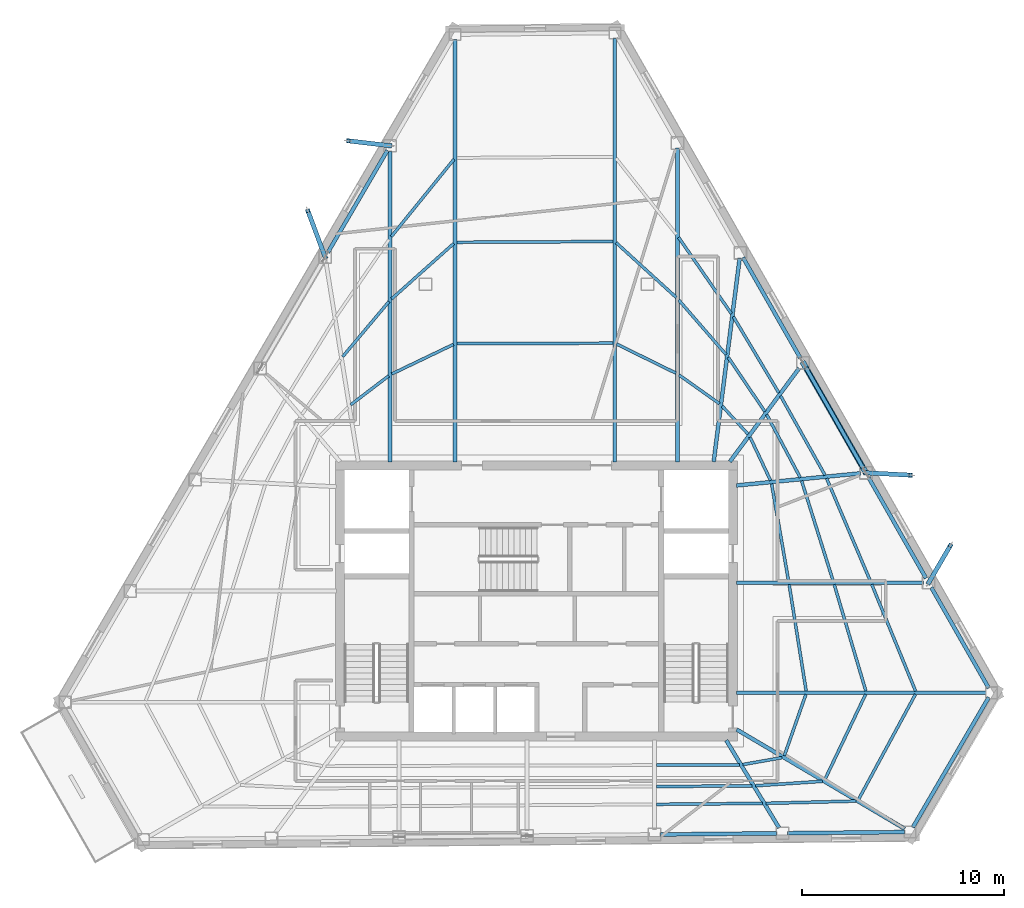
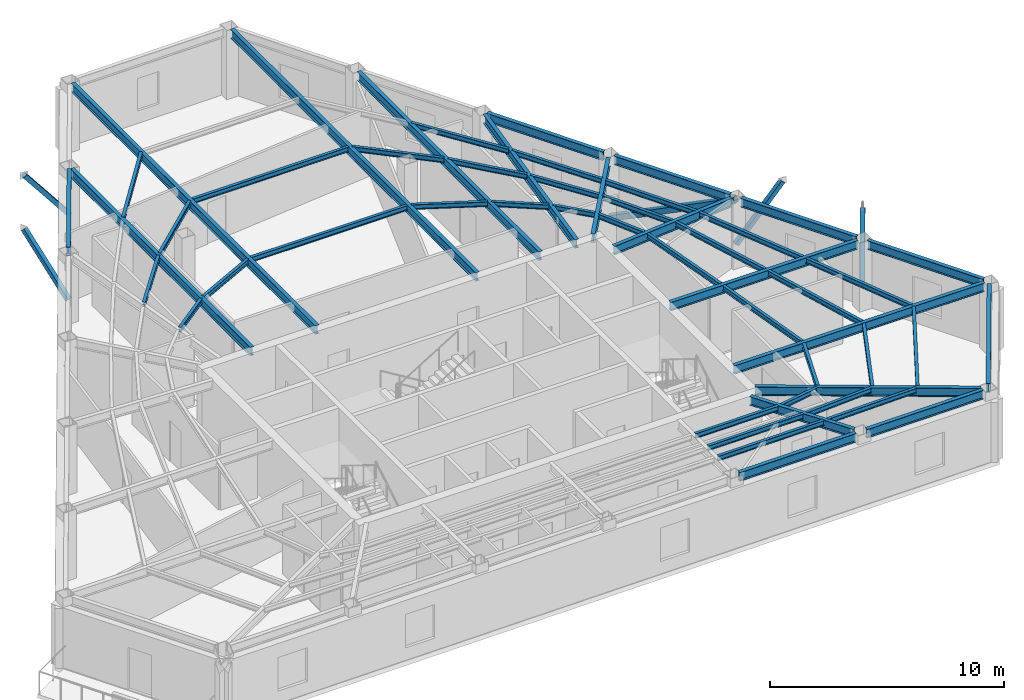
# One storey, part 2 of 11: 52 beams, 5 members.
"""IFC4 building model written with IfcOpenShell, lengths in metres."""

from ifc_helpers import new_model, si_unit, direction, frame, origin, origin_2d, place, context, subcontext, project, spatial, hollow_rectangle, i_section, extrude, material, material_profile, profile_set, type_object, element, save


model = new_model("IFC4")

# Units and contexts
model_context = context("Model", 3, precision=1e-05, world=origin(), true_north=direction((0.0, 1.0)))
body_context = subcontext(model_context, "Body", "Model", "MODEL_VIEW")
ifc_project = project(units=[si_unit("LENGTHUNIT", "METRE"), si_unit("AREAUNIT", "SQUARE_METRE"), si_unit("VOLUMEUNIT", "CUBIC_METRE"), si_unit("PLANEANGLEUNIT", "RADIAN"), si_unit("MASSUNIT", "GRAM", prefix="KILO")], contexts=[model_context])

# Site, building, storey
site_placement = place(None, origin())
site = spatial("IfcSite", under=ifc_project, at=site_placement, CompositionType="ELEMENT")
building_placement = place(site_placement, origin())
building = spatial("IfcBuilding", under=site, at=building_placement, Name="Kavelnor Concourse Tower", CompositionType="ELEMENT")
storey_placement = place(building_placement, frame((0.0, 0.0, 218.89990234375)))
storey = spatial("IfcBuildingStorey", under=building, at=storey_placement, Name="L55", CompositionType="ELEMENT", Elevation=218.89990234375)

# Beams
ifc_material = material(Name="Steel Grade 350", Category="steel")
ifc_material_profile_1 = material_profile(ifc_material, i_section(OverallWidth=0.14599609375, OverallDepth=0.256103515625, WebThickness=0.00634765625, FlangeThickness=0.010986328125, at=origin_2d()), Name="250UB37")
ifc_profile_set_1 = profile_set([ifc_material_profile_1], Name="Steel Grade 350")
beam_type_1 = type_object("IfcBeamType", Name="BM-JOIST-250", PredefinedType="JOIST", material=ifc_profile_set_1)
beam_1_placement = place(storey_placement, frame((43.947265625, 7.964111328125, 3.47216796875), z_axis=(0.999993847244, 0.003507915868, 0.0), x_axis=(-0.003507915868, 0.999993847244, 0.0)))
element("IfcBeam", 1, at=beam_1_placement, inside=storey, type_object=beam_type_1, Name="L55 Secondary Composite Joist 06-1", PredefinedType="JOIST", context=body_context, shape_type="SweptSolid", body=[
    extrude(i_section(OverallWidth=0.14599609375, OverallDepth=0.256103515625, WebThickness=0.00634765625, FlangeThickness=0.010986328125, at=origin_2d()), origin(), (0.0, 0.0, 1.0), 4.106201171875),
])
beam_2_placement = place(storey_placement, frame((43.947265625, 6.90478515625, 3.47216796875), z_axis=(0.999977883792, 0.006650708755, 0.0), x_axis=(-0.006650708755, 0.999977883792, 0.0)))
element("IfcBeam", 2, at=beam_2_placement, inside=storey, type_object=beam_type_1, Name="L55 Secondary Composite Joist 06-2", PredefinedType="JOIST", context=body_context, shape_type="SweptSolid", body=[
    extrude(i_section(OverallWidth=0.14599609375, OverallDepth=0.256103515625, WebThickness=0.00634765625, FlangeThickness=0.010986328125, at=origin_2d()), origin(), (0.0, 0.0, 1.0), 4.7353515625),
])
beam_3_placement = place(storey_placement, frame((43.947265625, 6.021728515625, 3.47216796875), z_axis=(0.999961518129, 0.008772813764, 0.0), x_axis=(-0.008772813764, 0.999961518129, 0.0)))
element("IfcBeam", 3, at=beam_3_placement, inside=storey, type_object=beam_type_1, Name="L55 Secondary Composite Joist 06-3", PredefinedType="JOIST", context=body_context, shape_type="SweptSolid", body=[
    extrude(i_section(OverallWidth=0.14599609375, OverallDepth=0.256103515625, WebThickness=0.00634765625, FlangeThickness=0.010986328125, at=origin_2d()), origin(), (0.0, 0.0, 1.0), 5.259765625),
])
beam_4_placement = place(storey_placement, frame((48.22998046875, 7.994140625, 3.47216796875), z_axis=(0.984905555147, 0.173092597879, 0.0), x_axis=(-0.173092597879, 0.984905555147, 0.0)))
element("IfcBeam", 4, at=beam_4_placement, inside=storey, type_object=beam_type_1, Name="L55 Secondary Composite Joist 07-1", PredefinedType="JOIST", context=body_context, shape_type="SweptSolid", body=[
    extrude(i_section(OverallWidth=0.14599609375, OverallDepth=0.256103515625, WebThickness=0.00634765625, FlangeThickness=0.010986328125, at=origin_2d()), origin(), (0.0, 0.0, 1.0), 1.970458984375),
])
beam_5_placement = place(storey_placement, frame((48.8603515625, 6.942626953125, 3.47216796875), z_axis=(0.99778287698, 0.066553214845, 0.0), x_axis=(-0.066553214845, 0.99778287698, 0.0)))
element("IfcBeam", 5, at=beam_5_placement, inside=storey, type_object=beam_type_1, Name="L55 Secondary Composite Joist 07-2", PredefinedType="JOIST", context=body_context, shape_type="SweptSolid", body=[
    extrude(i_section(OverallWidth=0.14599609375, OverallDepth=0.256103515625, WebThickness=0.00634765625, FlangeThickness=0.010986328125, at=origin_2d()), origin(), (0.0, 0.0, 1.0), 3.316162109375),
])
beam_6_placement = place(storey_placement, frame((49.385009765625, 6.07080078125, 3.47216796875), z_axis=(0.999684486937, 0.025118251866, 0.0), x_axis=(-0.025118251866, 0.999684486937, 0.0)))
element("IfcBeam", 6, at=beam_6_placement, inside=storey, type_object=beam_type_1, Name="L55 Secondary Composite Joist 07-3", PredefinedType="JOIST", context=body_context, shape_type="SweptSolid", body=[
    extrude(i_section(OverallWidth=0.14599609375, OverallDepth=0.256103515625, WebThickness=0.00634765625, FlangeThickness=0.010986328125, at=origin_2d()), origin(), (0.0, 0.0, 1.0), 4.45166015625),
])
beam_7_placement = place(storey_placement, frame((50.287841796875, 8.4345703125, 3.47216796875), z_axis=(0.331787353448, 0.94335420288, 0.0), x_axis=(-0.94335420288, 0.331787353448, 0.0)))
element("IfcBeam", 7, at=beam_7_placement, inside=storey, type_object=beam_type_1, Name="L55 Secondary Composite Joist 08-1", PredefinedType="JOIST", context=body_context, shape_type="SweptSolid", body=[
    extrude(i_section(OverallWidth=0.14599609375, OverallDepth=0.256103515625, WebThickness=0.00634765625, FlangeThickness=0.010986328125, at=origin_2d()), origin(), (0.0, 0.0, 1.0), 3.215576171875),
])
beam_8_placement = place(storey_placement, frame((52.29638671875, 7.24951171875, 3.47216796875), z_axis=(0.431411195978, 0.90215540789, 0.0), x_axis=(-0.90215540789, 0.431411195978, 0.0)))
element("IfcBeam", 8, at=beam_8_placement, inside=storey, type_object=beam_type_1, Name="L55 Secondary Composite Joist 08-2", PredefinedType="JOIST", context=body_context, shape_type="SweptSolid", body=[
    extrude(i_section(OverallWidth=0.14599609375, OverallDepth=0.256103515625, WebThickness=0.00634765625, FlangeThickness=0.010986328125, at=origin_2d()), origin(), (0.0, 0.0, 1.0), 4.68017578125),
])
beam_9_placement = place(storey_placement, frame((53.966552734375, 6.26318359375, 3.47216796875), z_axis=(0.475892796133, 0.879503295382, 0.0), x_axis=(-0.879503295382, 0.475892796133, 0.0)))
element("IfcBeam", 9, at=beam_9_placement, inside=storey, type_object=beam_type_1, Name="L55 Secondary Composite Joist 08-3", PredefinedType="JOIST", context=body_context, shape_type="SweptSolid", body=[
    extrude(i_section(OverallWidth=0.14599609375, OverallDepth=0.256103515625, WebThickness=0.00634765625, FlangeThickness=0.010986328125, at=origin_2d()), origin(), (0.0, 0.0, 1.0), 5.92431640625),
])
beam_10_placement = place(storey_placement, frame((51.370361328125, 11.639892578125, 3.47216796875), z_axis=(-0.157799787227, 0.987471127249, 0.0), x_axis=(-0.987471127249, -0.157799787227, 0.0)))
element("IfcBeam", 10, at=beam_10_placement, inside=storey, type_object=beam_type_1, Name="L55 Secondary Composite Joist 09-1", PredefinedType="JOIST", context=body_context, shape_type="SweptSolid", body=[
    extrude(i_section(OverallWidth=0.14599609375, OverallDepth=0.256103515625, WebThickness=0.00634765625, FlangeThickness=0.010986328125, at=origin_2d()), origin(), (0.0, 0.0, 1.0), 5.34228515625),
])
beam_11_placement = place(storey_placement, frame((54.32861328125, 11.63720703125, 3.47216796875), z_axis=(-0.284541009675, 0.958663869045, 0.0), x_axis=(-0.958663869045, -0.284541009675, 0.0)))
element("IfcBeam", 11, at=beam_11_placement, inside=storey, type_object=beam_type_1, Name="L55 Secondary Composite Joist 09-2", PredefinedType="JOIST", context=body_context, shape_type="SweptSolid", body=[
    extrude(i_section(OverallWidth=0.14599609375, OverallDepth=0.256103515625, WebThickness=0.00634765625, FlangeThickness=0.010986328125, at=origin_2d()), origin(), (0.0, 0.0, 1.0), 5.508544921875),
])
beam_12_placement = place(storey_placement, frame((56.79443359375, 11.63427734375, 3.47216796875), z_axis=(-0.380079405937, 0.92495386111, 0.0), x_axis=(-0.92495386111, -0.380079405937, 0.0)))
element("IfcBeam", 12, at=beam_12_placement, inside=storey, type_object=beam_type_1, Name="L55 Secondary Composite Joist 09-3", PredefinedType="JOIST", context=body_context, shape_type="SweptSolid", body=[
    extrude(i_section(OverallWidth=0.14599609375, OverallDepth=0.256103515625, WebThickness=0.00634765625, FlangeThickness=0.010986328125, at=origin_2d()), origin(), (0.0, 0.0, 1.0), 5.715576171875),
])
beam_13_placement = place(storey_placement, frame((50.497802734375, 17.0908203125, 3.47216796875), z_axis=(-0.171851055355, 0.985122943989, 0.0), x_axis=(-0.985122943989, -0.171851055355, 0.0)))
element("IfcBeam", 13, at=beam_13_placement, inside=storey, type_object=beam_type_1, Name="L55 Secondary Composite Joist 10-1", PredefinedType="JOIST", context=body_context, shape_type="SweptSolid", body=[
    extrude(i_section(OverallWidth=0.14599609375, OverallDepth=0.256103515625, WebThickness=0.00634765625, FlangeThickness=0.010986328125, at=origin_2d()), origin(), (0.0, 0.0, 1.0), 4.889892578125),
])
beam_14_placement = place(storey_placement, frame((52.709228515625, 17.088134765625, 3.47216796875), z_axis=(-0.300375133207, 0.953821146416, 0.0), x_axis=(-0.953821146416, -0.300375133207, 0.0)))
element("IfcBeam", 14, at=beam_14_placement, inside=storey, type_object=beam_type_1, Name="L55 Secondary Composite Joist 10-2", PredefinedType="JOIST", context=body_context, shape_type="SweptSolid", body=[
    extrude(i_section(OverallWidth=0.14599609375, OverallDepth=0.256103515625, WebThickness=0.00634765625, FlangeThickness=0.010986328125, at=origin_2d()), origin(), (0.0, 0.0, 1.0), 5.20751953125),
])
beam_15_placement = place(storey_placement, frame((54.553466796875, 17.085205078125, 3.47216796875), z_axis=(-0.392023804146, 0.91995507335, 0.0), x_axis=(-0.91995507335, -0.392023804146, 0.0)))
element("IfcBeam", 15, at=beam_15_placement, inside=storey, type_object=beam_type_1, Name="L55 Secondary Composite Joist 10-3", PredefinedType="JOIST", context=body_context, shape_type="SweptSolid", body=[
    extrude(i_section(OverallWidth=0.14599609375, OverallDepth=0.256103515625, WebThickness=0.00634765625, FlangeThickness=0.010986328125, at=origin_2d()), origin(), (0.0, 0.0, 1.0), 5.536376953125),
])
beam_16_placement = place(storey_placement, frame((49.60400390625, 22.076171875, 3.47216796875), z_axis=(-0.427582709729, 0.903976231071, 0.0), x_axis=(-0.903976231071, -0.427582709729, 0.0)))
element("IfcBeam", 16, at=beam_16_placement, inside=storey, type_object=beam_type_1, Name="L55 Secondary Composite Joist 11-1", PredefinedType="JOIST", context=body_context, shape_type="SweptSolid", body=[
    extrude(i_section(OverallWidth=0.14599609375, OverallDepth=0.256103515625, WebThickness=0.00634765625, FlangeThickness=0.010986328125, at=origin_2d()), origin(), (0.0, 0.0, 1.0), 2.375732421875),
])
beam_17_placement = place(storey_placement, frame((51.076416015625, 22.218505859375, 3.47216796875), z_axis=(-0.470143461119, 0.882590010122, 0.0), x_axis=(-0.882590010122, -0.470143461119, 0.0)))
element("IfcBeam", 17, at=beam_17_placement, inside=storey, type_object=beam_type_1, Name="L55 Secondary Composite Joist 11-2", PredefinedType="JOIST", context=body_context, shape_type="SweptSolid", body=[
    extrude(i_section(OverallWidth=0.14599609375, OverallDepth=0.256103515625, WebThickness=0.00634765625, FlangeThickness=0.010986328125, at=origin_2d()), origin(), (0.0, 0.0, 1.0), 3.533203125),
])
beam_18_placement = place(storey_placement, frame((52.3046875, 22.338134765625, 3.47216796875), z_axis=(-0.489088937346, 0.872233920096, 0.0), x_axis=(-0.872233920096, -0.489088937346, 0.0)))
element("IfcBeam", 18, at=beam_18_placement, inside=storey, type_object=beam_type_1, Name="L55 Secondary Composite Joist 11-3", PredefinedType="JOIST", context=body_context, shape_type="SweptSolid", body=[
    extrude(i_section(OverallWidth=0.14599609375, OverallDepth=0.256103515625, WebThickness=0.00634765625, FlangeThickness=0.010986328125, at=origin_2d()), origin(), (0.0, 0.0, 1.0), 4.50048828125),
])
beam_19_placement = place(storey_placement, frame((48.48974609375, 24.36962890625, 3.47216796875), z_axis=(-0.677626314238, 0.735406403461, 0.0), x_axis=(-0.735406403461, -0.677626314238, 0.0)))
element("IfcBeam", 19, at=beam_19_placement, inside=storey, type_object=beam_type_1, Name="L55 Secondary Composite Joist 12-1", PredefinedType="JOIST", context=body_context, shape_type="SweptSolid", body=[
    extrude(i_section(OverallWidth=0.14599609375, OverallDepth=0.256103515625, WebThickness=0.00634765625, FlangeThickness=0.010986328125, at=origin_2d()), origin(), (0.0, 0.0, 1.0), 1.89306640625),
])
beam_20_placement = place(storey_placement, frame((49.32373046875, 25.489013671875, 3.47216796875), z_axis=(-0.560227372786, 0.828338874363, 0.0), x_axis=(-0.828338874363, -0.560227372786, 0.0)))
element("IfcBeam", 20, at=beam_20_placement, inside=storey, type_object=beam_type_1, Name="L55 Secondary Composite Joist 12-2", PredefinedType="JOIST", context=body_context, shape_type="SweptSolid", body=[
    extrude(i_section(OverallWidth=0.14599609375, OverallDepth=0.256103515625, WebThickness=0.00634765625, FlangeThickness=0.010986328125, at=origin_2d()), origin(), (0.0, 0.0, 1.0), 3.244384765625),
])
beam_21_placement = place(storey_placement, frame((50.01416015625, 26.417724609375, 3.47216796875), z_axis=(-0.512722930796, 0.858554131221, 0.0), x_axis=(-0.858554131221, -0.512722930796, 0.0)))
element("IfcBeam", 21, at=beam_21_placement, inside=storey, type_object=beam_type_1, Name="L55 Secondary Composite Joist 12-3", PredefinedType="JOIST", context=body_context, shape_type="SweptSolid", body=[
    extrude(i_section(OverallWidth=0.14599609375, OverallDepth=0.256103515625, WebThickness=0.00634765625, FlangeThickness=0.010986328125, at=origin_2d()), origin(), (0.0, 0.0, 1.0), 4.3974609375),
])
beam_22_placement = place(storey_placement, frame((47.07421875, 25.878662109375, 3.47216796875), z_axis=(-0.815407356992, 0.578887590266, 0.0), x_axis=(-0.578887590266, -0.815407356992, 0.0)))
element("IfcBeam", 22, at=beam_22_placement, inside=storey, type_object=beam_type_1, Name="L55 Secondary Composite Joist 13-1", PredefinedType="JOIST", context=body_context, shape_type="SweptSolid", body=[
    extrude(i_section(OverallWidth=0.14599609375, OverallDepth=0.256103515625, WebThickness=0.00634765625, FlangeThickness=0.010986328125, at=origin_2d()), origin(), (0.0, 0.0, 1.0), 2.458740234375),
])
beam_23_placement = place(storey_placement, frame((47.397705078125, 28.3173828125, 3.47216796875), z_axis=(-0.655346441476, 0.755328432964, 0.0), x_axis=(-0.755328432964, -0.655346441476, 0.0)))
element("IfcBeam", 23, at=beam_23_placement, inside=storey, type_object=beam_type_1, Name="L55 Secondary Composite Joist 13-2", PredefinedType="JOIST", context=body_context, shape_type="SweptSolid", body=[
    extrude(i_section(OverallWidth=0.14599609375, OverallDepth=0.256103515625, WebThickness=0.00634765625, FlangeThickness=0.010986328125, at=origin_2d()), origin(), (0.0, 0.0, 1.0), 3.574951171875),
])
beam_24_placement = place(storey_placement, frame((47.6630859375, 30.3427734375, 3.47216796875), z_axis=(-0.56917959103, 0.822213228521, 0.0), x_axis=(-0.822213228521, -0.56917959103, 0.0)))
element("IfcBeam", 24, at=beam_24_placement, inside=storey, type_object=beam_type_1, Name="L55 Secondary Composite Joist 13-3", PredefinedType="JOIST", context=body_context, shape_type="SweptSolid", body=[
    extrude(i_section(OverallWidth=0.14599609375, OverallDepth=0.256103515625, WebThickness=0.00634765625, FlangeThickness=0.010986328125, at=origin_2d()), origin(), (0.0, 0.0, 1.0), 4.595703125),
])
beam_25_placement = place(storey_placement, frame((44.916748046875, 27.392578125, 3.47216796875), z_axis=(-0.897773342172, 0.440457746085, 0.0), x_axis=(-0.440457746085, -0.897773342172, 0.0)))
element("IfcBeam", 25, at=beam_25_placement, inside=storey, type_object=beam_type_1, Name="L55 Secondary Composite Joist 14-1", PredefinedType="JOIST", context=body_context, shape_type="SweptSolid", body=[
    extrude(i_section(OverallWidth=0.14599609375, OverallDepth=0.256103515625, WebThickness=0.00634765625, FlangeThickness=0.010986328125, at=origin_2d()), origin(), (0.0, 0.0, 1.0), 3.28759765625),
])
beam_26_placement = place(storey_placement, frame((44.930908203125, 31.144775390625, 3.47216796875), z_axis=(-0.739172214186, 0.673516471792, 0.0), x_axis=(-0.673516471792, -0.739172214186, 0.0)))
element("IfcBeam", 26, at=beam_26_placement, inside=storey, type_object=beam_type_1, Name="L55 Secondary Composite Joist 14-2", PredefinedType="JOIST", context=body_context, shape_type="SweptSolid", body=[
    extrude(i_section(OverallWidth=0.14599609375, OverallDepth=0.256103515625, WebThickness=0.00634765625, FlangeThickness=0.010986328125, at=origin_2d()), origin(), (0.0, 0.0, 1.0), 4.03076171875),
])
for number, where, z_axis, x_axis, name in (
    (27, (41.79638671875, 28.87939453125, 3.47216796875), (-0.999996232274, -0.002745075323, 0.0), (0.002745075323, -0.999996232274, 0.0), "L55 Secondary Composite Joist 15-1"),
    (28, (41.79638671875, 33.919189453125, 3.47216796875), (-0.999986774567, -0.005143023515, 0.0), (0.005143023515, -0.999986774567, 0.0), "L55 Secondary Composite Joist 15-2"),
):
    element("IfcBeam", number, at=place(storey_placement, frame(where, z_axis=z_axis, x_axis=x_axis)), inside=storey, type_object=beam_type_1, Name=name, PredefinedType="JOIST", context=body_context, shape_type="SweptSolid", body=[
        extrude(i_section(OverallWidth=0.14599609375, OverallDepth=0.256103515625, WebThickness=0.00634765625, FlangeThickness=0.010986328125, at=origin_2d()), origin(), (0.0, 0.0, 1.0), 7.737548828125),
    ])
beam_27_placement = place(storey_placement, frame((33.8896484375, 28.8193359375, 3.47216796875), z_axis=(-0.901699203553, -0.432363904959, 0.0), x_axis=(0.432363904959, -0.901699203553, 0.0)))
element("IfcBeam", 29, at=beam_27_placement, inside=storey, type_object=beam_type_1, Name="L55 Secondary Composite Joist 16-1", PredefinedType="JOIST", context=body_context, shape_type="SweptSolid", body=[
    extrude(i_section(OverallWidth=0.14599609375, OverallDepth=0.256103515625, WebThickness=0.00634765625, FlangeThickness=0.010986328125, at=origin_2d()), origin(), (0.0, 0.0, 1.0), 3.394287109375),
])
beam_28_placement = place(storey_placement, frame((33.9033203125, 33.81982421875, 3.47216796875), z_axis=(-0.746754208196, -0.665100107158, 0.0), x_axis=(0.665100107158, -0.746754208196, 0.0)))
element("IfcBeam", 30, at=beam_28_placement, inside=storey, type_object=beam_type_1, Name="L55 Secondary Composite Joist 16-2", PredefinedType="JOIST", context=body_context, shape_type="SweptSolid", body=[
    extrude(i_section(OverallWidth=0.14599609375, OverallDepth=0.256103515625, WebThickness=0.00634765625, FlangeThickness=0.010986328125, at=origin_2d()), origin(), (0.0, 0.0, 1.0), 4.135009765625),
])
beam_29_placement = place(storey_placement, frame((33.913818359375, 37.994140625, 3.47216796875), z_axis=(-0.629856803882, -0.776711276218, 0.0), x_axis=(0.776711276218, -0.629856803882, 0.0)))
element("IfcBeam", 31, at=beam_29_placement, inside=storey, type_object=beam_type_1, Name="L55 Secondary Composite Joist 16-3", PredefinedType="JOIST", context=body_context, shape_type="SweptSolid", body=[
    extrude(i_section(OverallWidth=0.14599609375, OverallDepth=0.256103515625, WebThickness=0.00634765625, FlangeThickness=0.010986328125, at=origin_2d()), origin(), (0.0, 0.0, 1.0), 4.935791015625),
])
beam_30_placement = place(storey_placement, frame((30.677978515625, 27.259521484375, 3.47216796875), z_axis=(-0.795441177281, -0.606030802424, 0.0), x_axis=(0.606030802424, -0.795441177281, 0.0)))
element("IfcBeam", 32, at=beam_30_placement, inside=storey, type_object=beam_type_1, Name="L55 Secondary Composite Joist 17-1", PredefinedType="JOIST", context=body_context, shape_type="SweptSolid", body=[
    extrude(i_section(OverallWidth=0.14599609375, OverallDepth=0.256103515625, WebThickness=0.00634765625, FlangeThickness=0.010986328125, at=origin_2d()), origin(), (0.0, 0.0, 1.0), 2.370361328125),
])
beam_31_placement = place(storey_placement, frame((30.691650390625, 30.9423828125, 3.47216796875), z_axis=(-0.64345513206, -0.765483829369, 0.0), x_axis=(0.765483829369, -0.64345513206, 0.0)))
element("IfcBeam", 33, at=beam_31_placement, inside=storey, type_object=beam_type_1, Name="L55 Secondary Composite Joist 17-2", PredefinedType="JOIST", context=body_context, shape_type="SweptSolid", body=[
    extrude(i_section(OverallWidth=0.14599609375, OverallDepth=0.256103515625, WebThickness=0.00634765625, FlangeThickness=0.010986328125, at=origin_2d()), origin(), (0.0, 0.0, 1.0), 3.5693359375),
])
ifc_material_profile_2 = material_profile(ifc_material, i_section(OverallWidth=0.18994140625, OverallDepth=0.4541015625, WebThickness=0.008544921875, FlangeThickness=0.0126953125, at=origin_2d()), Name="460UB67")
ifc_profile_set_2 = profile_set([ifc_material_profile_2], Name="Steel Grade 350")
beam_type_2 = type_object("IfcBeamType", Name="BM-PRIMARY-460", PredefinedType="BEAM", material=ifc_profile_set_2)
beam_32_placement = place(storey_placement, frame((33.9697265625, 23.0, 3.373046875), z_axis=(0.0, 1.0, 0.0), x_axis=(-1.0, 0.0, 0.0)))
element("IfcBeam", 34, at=beam_32_placement, inside=storey, type_object=beam_type_2, Name="L55 Primary Floor Girder F0-B0", PredefinedType="BEAM", context=body_context, shape_type="SweptSolid", body=[
    extrude(i_section(OverallWidth=0.18994140625, OverallDepth=0.4541015625, WebThickness=0.008544921875, FlangeThickness=0.0126953125, at=origin_2d()), origin(), (0.0, 0.0, 1.0), 20.921142578125),
])
beam_33_placement = place(storey_placement, frame((30.748779296875, 23.0, 3.373046875), z_axis=(0.0, 1.0, 0.0), x_axis=(-1.0, 0.0, 0.0)))
element("IfcBeam", 35, at=beam_33_placement, inside=storey, type_object=beam_type_2, Name="L55 Primary Floor Girder F0-B1", PredefinedType="BEAM", context=body_context, shape_type="SweptSolid", body=[
    extrude(i_section(OverallWidth=0.18994140625, OverallDepth=0.4541015625, WebThickness=0.008544921875, FlangeThickness=0.0126953125, at=origin_2d()), origin(), (0.0, 0.0, 1.0), 15.40478515625),
])
beam_34_placement = place(storey_placement, frame((47.408447265625, 9.194091796875, 3.373046875), z_axis=(0.516915031029, -0.856036711068, 0.0), x_axis=(0.856036711068, 0.516915031029, 0.0)))
element("IfcBeam", 36, at=beam_34_placement, inside=storey, type_object=beam_type_2, Name="L55 Primary Floor Girder F1-B5", PredefinedType="BEAM", context=body_context, shape_type="SweptSolid", body=[
    extrude(i_section(OverallWidth=0.18994140625, OverallDepth=0.4541015625, WebThickness=0.008544921875, FlangeThickness=0.0126953125, at=origin_2d()), origin(), (0.0, 0.0, 1.0), 5.071044921875),
])
beam_35_placement = place(storey_placement, frame((47.925537109375, 9.728759765625, 3.373046875), z_axis=(0.860968214443, -0.508658759601, 0.0), x_axis=(0.508658759601, 0.860968214443, 0.0)))
element("IfcBeam", 37, at=beam_35_placement, inside=storey, type_object=beam_type_2, Name="L55 Primary Floor Girder F1-B6", PredefinedType="BEAM", context=body_context, shape_type="SweptSolid", body=[
    extrude(i_section(OverallWidth=0.18994140625, OverallDepth=0.4541015625, WebThickness=0.008544921875, FlangeThickness=0.0126953125, at=origin_2d()), origin(), (0.0, 0.0, 1.0), 9.6767578125),
])
beam_36_placement = place(storey_placement, frame((47.919921875, 11.552001953125, 3.373046875), z_axis=(1.0, 0.0, 0.0), x_axis=(0.0, 1.0, 0.0)))
element("IfcBeam", 38, at=beam_36_placement, inside=storey, type_object=beam_type_2, Name="L55 Primary Floor Girder F2-B0", PredefinedType="BEAM", context=body_context, shape_type="SweptSolid", body=[
    extrude(i_section(OverallWidth=0.18994140625, OverallDepth=0.4541015625, WebThickness=0.008544921875, FlangeThickness=0.0126953125, at=origin_2d()), origin(), (0.0, 0.0, 1.0), 12.372802734375),
])
beam_37_placement = place(storey_placement, frame((47.919921875, 17.003173828125, 3.373046875), z_axis=(1.0, 0.0, 0.0), x_axis=(0.0, 1.0, 0.0)))
element("IfcBeam", 39, at=beam_37_placement, inside=storey, type_object=beam_type_2, Name="L55 Primary Floor Girder F2-B1", PredefinedType="BEAM", context=body_context, shape_type="SweptSolid", body=[
    extrude(i_section(OverallWidth=0.18994140625, OverallDepth=0.4541015625, WebThickness=0.008544921875, FlangeThickness=0.0126953125, at=origin_2d()), origin(), (0.0, 0.0, 1.0), 9.261474609375),
])
beam_38_placement = place(storey_placement, frame((47.920166015625, 21.8271484375, 3.373046875), z_axis=(0.995246187288, 0.097391101694, 0.0), x_axis=(-0.097391101694, 0.995246187288, 0.0)))
element("IfcBeam", 40, at=beam_38_placement, inside=storey, type_object=beam_type_2, Name="L55 Primary Floor Girder F2-B2", PredefinedType="BEAM", context=body_context, shape_type="SweptSolid", body=[
    extrude(i_section(OverallWidth=0.18994140625, OverallDepth=0.4541015625, WebThickness=0.008544921875, FlangeThickness=0.0126953125, at=origin_2d()), origin(), (0.0, 0.0, 1.0), 6.17919921875),
])
beam_39_placement = place(storey_placement, frame((47.58935546875, 23.0078125, 3.373046875), z_axis=(0.595407880779, 0.803423584111, 0.0), x_axis=(-0.803423584111, 0.595407880779, 0.0)))
element("IfcBeam", 41, at=beam_39_placement, inside=storey, type_object=beam_type_2, Name="L55 Primary Floor Girder F2-B3", PredefinedType="BEAM", context=body_context, shape_type="SweptSolid", body=[
    extrude(i_section(OverallWidth=0.18994140625, OverallDepth=0.4541015625, WebThickness=0.008544921875, FlangeThickness=0.0126953125, at=origin_2d()), origin(), (0.0, 0.0, 1.0), 5.7626953125),
])
beam_40_placement = place(storey_placement, frame((46.785888671875, 23.000244140625, 3.373046875), z_axis=(0.126626362845, 0.991950484769, 0.0), x_axis=(-0.991950484769, 0.126626362845, 0.0)))
element("IfcBeam", 42, at=beam_40_placement, inside=storey, type_object=beam_type_2, Name="L55 Primary Floor Girder F2-B4", PredefinedType="BEAM", context=body_context, shape_type="SweptSolid", body=[
    extrude(i_section(OverallWidth=0.18994140625, OverallDepth=0.4541015625, WebThickness=0.008544921875, FlangeThickness=0.0126953125, at=origin_2d()), origin(), (0.0, 0.0, 1.0), 10.17822265625),
])
beam_41_placement = place(storey_placement, frame((44.99658203125, 23.0, 3.373046875), z_axis=(0.0, 1.0, 0.0), x_axis=(-1.0, 0.0, 0.0)))
element("IfcBeam", 43, at=beam_41_placement, inside=storey, type_object=beam_type_2, Name="L55 Primary Floor Girder F2-B5", PredefinedType="BEAM", context=body_context, shape_type="SweptSolid", body=[
    extrude(i_section(OverallWidth=0.18994140625, OverallDepth=0.4541015625, WebThickness=0.008544921875, FlangeThickness=0.0126953125, at=origin_2d()), origin(), (0.0, 0.0, 1.0), 15.5478515625),
])
beam_42_placement = place(storey_placement, frame((41.885498046875, 23.0, 3.373046875), z_axis=(0.0, 1.0, 0.0), x_axis=(-1.0, 0.0, 0.0)))
element("IfcBeam", 44, at=beam_42_placement, inside=storey, type_object=beam_type_2, Name="L55 Primary Floor Girder F2-B6", PredefinedType="BEAM", context=body_context, shape_type="SweptSolid", body=[
    extrude(i_section(OverallWidth=0.18994140625, OverallDepth=0.4541015625, WebThickness=0.008544921875, FlangeThickness=0.0126953125, at=origin_2d()), origin(), (0.0, 0.0, 1.0), 20.9990234375),
])
ifc_material_profile_3 = material_profile(ifc_material, i_section(OverallWidth=0.19091796875, OverallDepth=0.4599609375, WebThickness=0.010009765625, FlangeThickness=0.01611328125, at=origin_2d()), Name="460UB82")
ifc_profile_set_3 = profile_set([ifc_material_profile_3], Name="Steel Grade 350")
beam_type_3 = type_object("IfcBeamType", Name="BM-SPANDREL-Z3", PredefinedType="SPANDREL", material=ifc_profile_set_3)
beam_43_placement = place(storey_placement, frame((30.615234375, 38.435791015625, 3.3701171875), z_axis=(-0.5042234131, -0.863573245117, 0.0), x_axis=(0.863573245117, -0.5042234131, 0.0)))
element("IfcBeam", 45, at=beam_43_placement, inside=storey, type_object=beam_type_3, Name="L55 Perimeter Tube Spandrel Beam F0-B1", PredefinedType="SPANDREL", context=body_context, shape_type="SweptSolid", body=[
    extrude(i_section(OverallWidth=0.19091796875, OverallDepth=0.4599609375, WebThickness=0.010009765625, FlangeThickness=0.01611328125, at=origin_2d()), origin(), (0.0, 0.0, 1.0), 5.857666015625),
])
beam_44_placement = place(storey_placement, frame((44.123291015625, 4.52734375, 3.3701171875), z_axis=(0.999951112453, 0.009888008055, 0.0), x_axis=(-0.009888008055, 0.999951112453, 0.0)))
element("IfcBeam", 46, at=beam_44_placement, inside=storey, type_object=beam_type_3, Name="L55 Perimeter Tube Spandrel Beam F1-B4", PredefinedType="SPANDREL", context=body_context, shape_type="SweptSolid", body=[
    extrude(i_section(OverallWidth=0.19091796875, OverallDepth=0.4599609375, WebThickness=0.010009765625, FlangeThickness=0.01611328125, at=origin_2d()), origin(), (0.0, 0.0, 1.0), 5.80224609375),
])
beam_45_placement = place(storey_placement, frame((50.455322265625, 4.58984375, 3.3701171875), z_axis=(0.999951116567, 0.009887592039, 0.0), x_axis=(-0.009887592039, 0.999951116567, 0.0)))
element("IfcBeam", 47, at=beam_45_placement, inside=storey, type_object=beam_type_3, Name="L55 Perimeter Tube Spandrel Beam F1-B5", PredefinedType="SPANDREL", context=body_context, shape_type="SweptSolid", body=[
    extrude(i_section(OverallWidth=0.19091796875, OverallDepth=0.4599609375, WebThickness=0.010009765625, FlangeThickness=0.01611328125, at=origin_2d()), origin(), (0.0, 0.0, 1.0), 5.802490234375),
])
for number, where, z_axis, x_axis, name in (
    (48, (60.42138671875, 11.7822265625, 3.3701171875), (-0.495685903124, 0.86850186266, 0.0), (-0.86850186266, -0.495685903124, 0.0), "L55 Perimeter Tube Spandrel Beam F2-B0"),
    (49, (57.31005859375, 17.2333984375, 3.3701171875), (-0.495685903124, 0.86850186266, 0.0), (-0.86850186266, -0.495685903124, 0.0), "L55 Perimeter Tube Spandrel Beam F2-B1"),
    (50, (54.198974609375, 22.6845703125, 3.3701171875), (-0.495685903124, 0.86850186266, 0.0), (-0.86850186266, -0.495685903124, 0.0), "L55 Perimeter Tube Spandrel Beam F2-B2"),
    (51, (51.087646484375, 28.1357421875, 3.3701171875), (-0.495685903124, 0.86850186266, 0.0), (-0.86850186266, -0.495685903124, 0.0), "L55 Perimeter Tube Spandrel Beam F2-B3"),
):
    element("IfcBeam", number, at=place(storey_placement, frame(where, z_axis=z_axis, x_axis=x_axis)), inside=storey, type_object=beam_type_3, Name=name, PredefinedType="SPANDREL", context=body_context, shape_type="SweptSolid", body=[
        extrude(i_section(OverallWidth=0.19091796875, OverallDepth=0.4599609375, WebThickness=0.010009765625, FlangeThickness=0.01611328125, at=origin_2d()), origin(), (0.0, 0.0, 1.0), 5.746337890625),
    ])
beam_46_placement = place(storey_placement, frame((56.656005859375, 4.87841796875, 3.3701171875), z_axis=(0.504241163783, 0.863562880598, 0.0), x_axis=(-0.863562880598, 0.504241163783, 0.0)))
element("IfcBeam", 52, at=beam_46_placement, inside=storey, type_object=beam_type_3, Name="L55 Chamfer Facet Spandrel Beam C2", PredefinedType="SPANDREL", context=body_context, shape_type="SweptSolid", body=[
    extrude(i_section(OverallWidth=0.19091796875, OverallDepth=0.4599609375, WebThickness=0.010009765625, FlangeThickness=0.01611328125, at=origin_2d()), origin(), (0.0, 0.0, 1.0), 7.463134765625),
])

# Members
ifc_material_profile_4 = material_profile(ifc_material, hollow_rectangle(XDim=0.219970703125, YDim=0.219970703125, WallThickness=0.013916015625, at=origin_2d()), Name="SHS 220x220x14")
ifc_profile_set_4 = profile_set([ifc_material_profile_4], Name="Steel Grade 350")
member_type_1 = type_object("IfcMemberType", Name="MBR-BALC-STRUT-220", PredefinedType="STRUT", material=ifc_profile_set_4)
member_1_placement = place(storey_placement, frame((57.44140625, 17.003173828125, 1.050048828125), z_axis=(0.320359022089, 0.54929022663, 0.771783871233), x_axis=(-0.863820154606, 0.503800298229, 0.0)))
element("IfcMember", 53, at=member_1_placement, inside=storey, type_object=member_type_1, Name="L55 Tree Balcony Raking Knee Strut 1-A", PredefinedType="STRUT", context=body_context, shape_type="SweptSolid", body=[
    extrude(hollow_rectangle(XDim=0.219970703125, YDim=0.219970703125, WallThickness=0.013916015625, at=origin_2d()), origin(), (0.0, 0.0, 1.0), 3.375244140625),
])
member_2_placement = place(storey_placement, frame((54.330322265625, 22.454345703125, 1.050048828125), z_axis=(0.648239621991, -0.034290471591, 0.760663891636), x_axis=(0.052823979604, 0.998603838957, 0.0)))
element("IfcMember", 54, at=member_2_placement, inside=storey, type_object=member_type_1, Name="L55 Tree Balcony Raking Knee Strut 1-B", PredefinedType="STRUT", context=body_context, shape_type="SweptSolid", body=[
    extrude(hollow_rectangle(XDim=0.219970703125, YDim=0.219970703125, WallThickness=0.013916015625, at=origin_2d()), origin(), (0.0, 0.0, 1.0), 3.424560546875),
])
member_3_placement = place(storey_placement, frame((30.748779296875, 38.664794921875, 1.050048828125), z_axis=(-0.62172126461, 0.07330274226, 0.77980085734), x_axis=(-0.117091859849, -0.993121088467, 0.0)))
element("IfcMember", 55, at=member_3_placement, inside=storey, type_object=member_type_1, Name="L55 Tree Balcony Raking Knee Strut 2-A", PredefinedType="STRUT", context=body_context, shape_type="SweptSolid", body=[
    extrude(hollow_rectangle(XDim=0.219970703125, YDim=0.219970703125, WallThickness=0.013916015625, at=origin_2d()), origin(), (0.0, 0.0, 1.0), 3.340576171875),
])
member_4_placement = place(storey_placement, frame((27.528076171875, 33.1484375, 1.050048828125), z_axis=(-0.240396896983, 0.642422345979, 0.727669472568), x_axis=(-0.93657410442, -0.350469609138, 0.0)))
element("IfcMember", 56, at=member_4_placement, inside=storey, type_object=member_type_1, Name="L55 Tree Balcony Raking Knee Strut 2-B", PredefinedType="STRUT", context=body_context, shape_type="SweptSolid", body=[
    extrude(hollow_rectangle(XDim=0.219970703125, YDim=0.219970703125, WallThickness=0.013916015625, at=origin_2d()), origin(), (0.0, 0.0, 1.0), 3.579833984375),
])
ifc_material_profile_5 = material_profile(ifc_material, hollow_rectangle(XDim=0.280029296875, YDim=0.280029296875, WallThickness=0.01611328125, at=origin_2d()), Name="SHS 280x280x16")
ifc_profile_set_5 = profile_set([ifc_material_profile_5], Name="Steel Grade 350")
member_type_2 = type_object("IfcMemberType", Name="MBR-TUBE-DIAG-Z3", PredefinedType="BRACE", material=ifc_profile_set_5)
member_5_placement = place(storey_placement, frame((51.218994140625, 27.905517578125, 0.22021484375), z_axis=(0.443042297015, -0.776227903935, 0.44853513152), x_axis=(0.868491973561, 0.495703229625, 0.0)))
element("IfcMember", 57, at=member_5_placement, inside=storey, type_object=member_type_2, Name="L55 Framed-Tube Bracing Diagonal F2-B2", PredefinedType="BRACE", context=body_context, shape_type="SweptSolid", body=[
    extrude(hollow_rectangle(XDim=0.280029296875, YDim=0.280029296875, WallThickness=0.01611328125, at=origin_2d()), origin(), (0.0, 0.0, 1.0), 7.022705078125),
])

save(model, "model.ifc")
